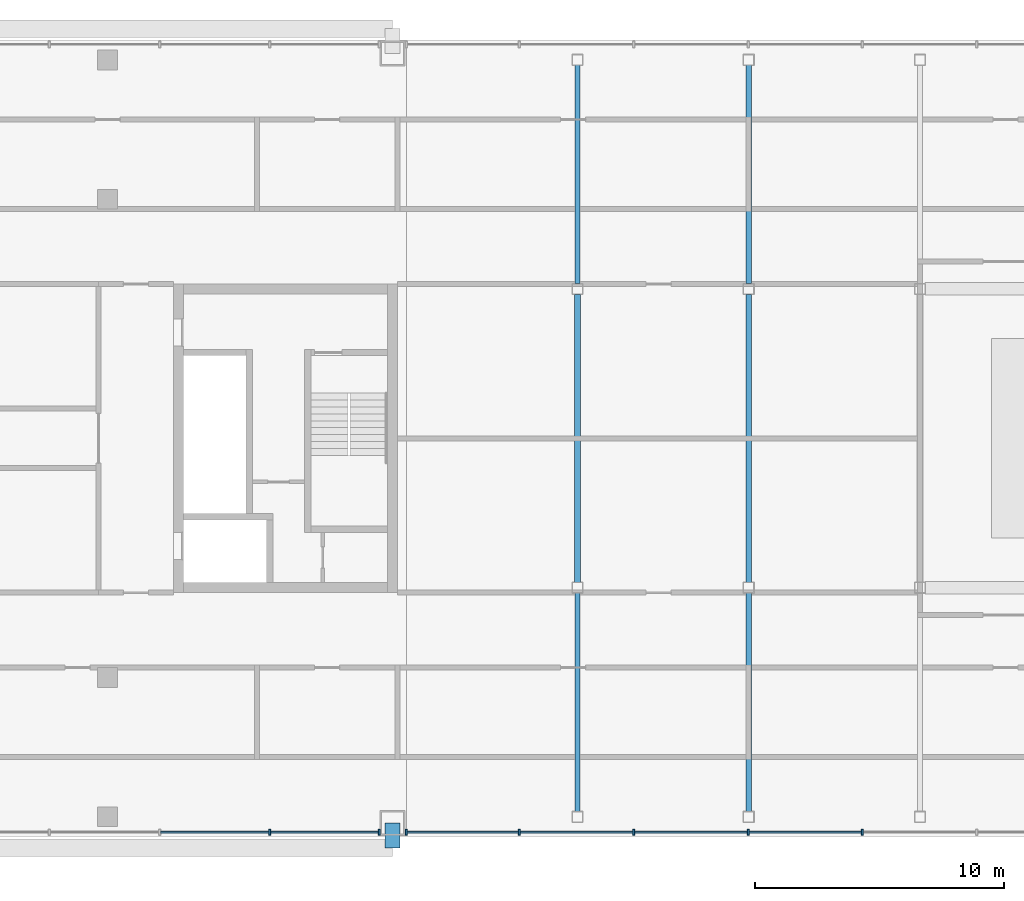
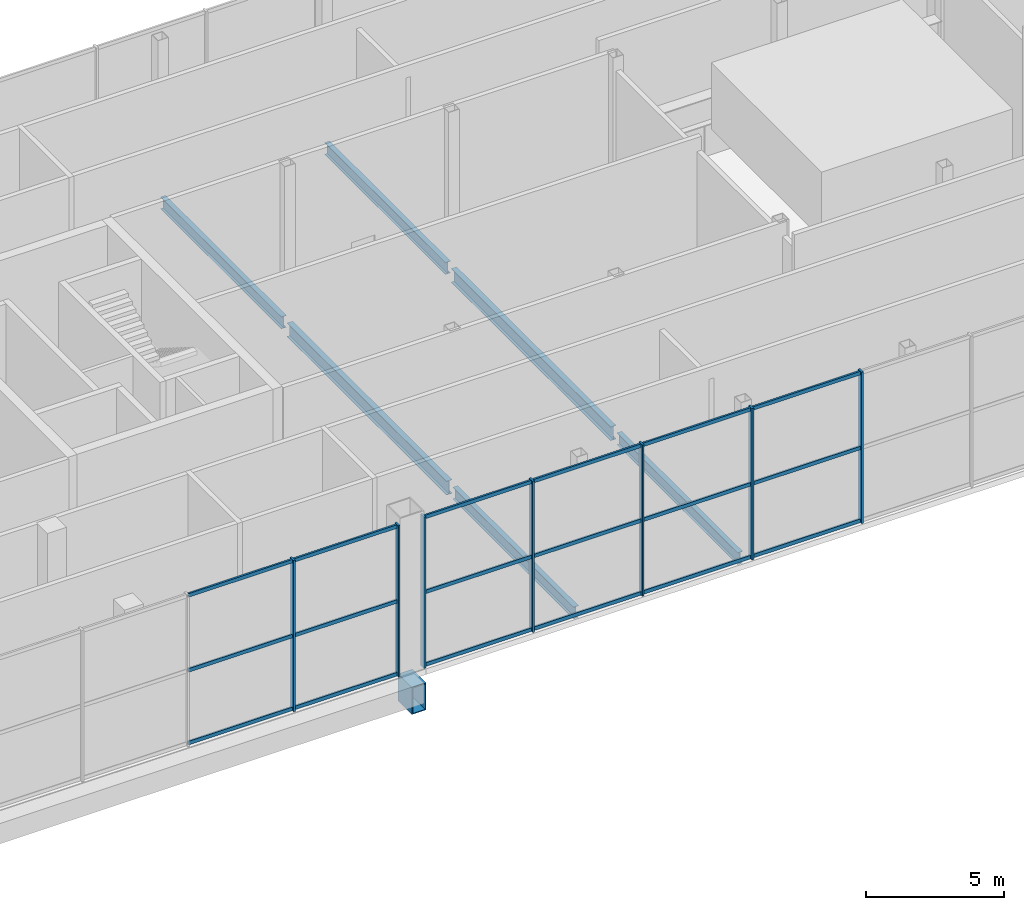
# One storey, part 6 of 27: 25 members, 7 beams, 2 elements without a shape of their own.
"""IFC4 building model written with IfcOpenShell, lengths in metres."""

from ifc_helpers import new_model, si_unit, direction, frame, origin, origin_2d, place, context, subcontext, project, spatial, rectangle, hollow_rectangle, i_section, extrude, material, material_profile, profile_set, type_object, element, aggregate, save


model = new_model("IFC4")

# Units and contexts
model_context = context("Model", 3, precision=1e-05, world=origin(), true_north=direction((0.0, 1.0)))
body_context = subcontext(model_context, "Body", "Model", "MODEL_VIEW")
ifc_project = project(units=[si_unit("LENGTHUNIT", "METRE"), si_unit("AREAUNIT", "SQUARE_METRE"), si_unit("VOLUMEUNIT", "CUBIC_METRE"), si_unit("PLANEANGLEUNIT", "RADIAN"), si_unit("MASSUNIT", "GRAM", prefix="KILO")], contexts=[model_context])

# Site, building, storey
site_placement = place(None, origin())
site = spatial("IfcSite", under=ifc_project, at=site_placement, CompositionType="ELEMENT")
building_placement = place(site_placement, origin())
building = spatial("IfcBuilding", under=site, at=building_placement, Name="Tuart Gate Housing", CompositionType="ELEMENT")
storey_placement = place(building_placement, frame((0.0, 0.0, 236.89990234375)))
storey = spatial("IfcBuildingStorey", under=building, at=storey_placement, Name="L67", CompositionType="ELEMENT", Elevation=236.89990234375)

# Beams
ifc_material_1 = material(Name="Steel Grade 350", Category="steel")
ifc_material_profile_1 = material_profile(ifc_material_1, hollow_rectangle(XDim=0.60009765625, YDim=1.199951171875, WallThickness=0.0400390625, at=origin_2d()), Name="BOX 1200x600x40")
ifc_profile_set_1 = profile_set([ifc_material_profile_1], Name="Steel Grade 350")
beam_type_1 = type_object("IfcBeamType", Name="Brace shoe BOX 1200x600x40", PredefinedType="BEAM", material=ifc_profile_set_1)
beam_placement = place(storey_placement, frame((75.449951171875, 54.550048828125, -0.849853515625), z_axis=(0.0, -1.0, 0.0), x_axis=(1.0, 0.0, 0.0)))
element("IfcBeam", 1, at=beam_placement, inside=storey, type_object=beam_type_1, Name="Mega tie beam A node 8 south shoe 1 L67", PredefinedType="BEAM", context=body_context, shape_type="SweptSolid", body=[
    extrude(hollow_rectangle(XDim=0.60009765625, YDim=1.199951171875, WallThickness=0.0400390625, at=origin_2d()), origin(), (0.0, 0.0, 1.0), 1.0),
])
ifc_material_2 = material(Name="Steel Grade 350", Category="steel")
ifc_material_profile_2 = material_profile(ifc_material_2, i_section(OverallWidth=0.208984375, OverallDepth=0.532958984375, WebThickness=0.01025390625, FlangeThickness=0.015625, at=origin_2d()), Name="530UB92.4")
ifc_profile_set_2 = profile_set([ifc_material_profile_2], Name="Steel Grade 350")
beam_type_2 = type_object("IfcBeamType", Name="Floor beam 530 UB92.4", PredefinedType="BEAM", material=ifc_profile_set_2)
for number, where, z_axis, x_axis, name in (
    (2, (82.875, 55.014892578125, -0.515869140625), (0.0, 1.0, 0.0), (-1.0, 0.0, 0.0), "Block floor beam L67 bay 1 position 1"),
    (3, (82.875, 76.215087890625, -0.515869140625), (0.0, 1.0, 0.0), (-1.0, 0.0, 0.0), "Block floor beam L67 bay 1 position 3"),
    (4, (89.75, 55.014892578125, -0.515869140625), (0.0, 1.0, 0.0), (-1.0, 0.0, 0.0), "Block floor beam L67 bay 2 position 1"),
    (5, (89.75, 76.215087890625, -0.515869140625), (0.0, 1.0, 0.0), (-1.0, 0.0, 0.0), "Block floor beam L67 bay 2 position 3"),
):
    element("IfcBeam", number, at=place(storey_placement, frame(where, z_axis=z_axis, x_axis=x_axis)), inside=storey, type_object=beam_type_2, Name=name, PredefinedType="BEAM", context=body_context, shape_type="SweptSolid", body=[
        extrude(i_section(OverallWidth=0.208984375, OverallDepth=0.532958984375, WebThickness=0.01025390625, FlangeThickness=0.015625, at=origin_2d()), origin(), (0.0, 0.0, 1.0), 8.77001953125),
    ])
ifc_material_3 = material(Name="Steel Grade 350", Category="steel")
ifc_material_profile_3 = material_profile(ifc_material_3, i_section(OverallWidth=0.22900390625, OverallDepth=0.612060546875, WebThickness=0.011962890625, FlangeThickness=0.01953125, at=origin_2d()), Name="610UB125")
ifc_profile_set_3 = profile_set([ifc_material_profile_3], Name="Steel Grade 350")
beam_type_3 = type_object("IfcBeamType", Name="Floor beam 610 UB125", PredefinedType="BEAM", material=ifc_profile_set_3)
for number, where, z_axis, x_axis, name in (
    (6, (82.875, 64.215087890625, -0.555908203125), (0.0, 1.0, 0.0), (-1.0, 0.0, 0.0), "Block floor beam L67 bay 1 position 2"),
    (7, (89.75, 64.215087890625, -0.555908203125), (0.0, 1.0, 0.0), (-1.0, 0.0, 0.0), "Block floor beam L67 bay 2 position 2"),
):
    element("IfcBeam", number, at=place(storey_placement, frame(where, z_axis=z_axis, x_axis=x_axis)), inside=storey, type_object=beam_type_3, Name=name, PredefinedType="BEAM", context=body_context, shape_type="SweptSolid", body=[
        extrude(i_section(OverallWidth=0.22900390625, OverallDepth=0.612060546875, WebThickness=0.011962890625, FlangeThickness=0.01953125, at=origin_2d()), origin(), (0.0, 0.0, 1.0), 11.56982421875),
    ])

# Curtain wall, members
ifc_material_4 = material(Name="Aluminium and clear glass", Category="aluminium")
curtain_wall_type = type_object("IfcCurtainWallType", Name="Damper floor glazing", PredefinedType="USERDEFINED", material=ifc_material_4)
curtain_wall_1_placement = place(storey_placement, origin())
curtain_wall_1 = element("IfcCurtainWall", 8, at=curtain_wall_1_placement, inside=storey, type_object=curtain_wall_type, Name="Damper floor glazing BLK-S L67", ObjectType="DAMPER FLOOR GLAZING", PredefinedType="USERDEFINED")
ifc_material_5 = material(Name="Anodised aluminium", Category="aluminium")
ifc_material_profile_4 = material_profile(ifc_material_5, rectangle(XDim=0.080078125, YDim=0.25, at=origin_2d()), Name="80x250")
ifc_profile_set_4 = profile_set([ifc_material_profile_4], Name="Anodised aluminium")
member_type_1 = type_object("IfcMemberType", Name="Mullion 80 x 250", PredefinedType="MULLION", material=ifc_profile_set_4)
member_1_placement = place(storey_placement, frame((70.519287109375, 54.179931640625, 0.0), z_axis=(0.0, 0.0, 1.0), x_axis=(1.0, 0.0, 0.0)))
member_1 = element("IfcMember", 9, at=member_1_placement, type_object=member_type_1, Name="CW5 mullion 9", PredefinedType="MULLION", context=body_context, shape_type="SweptSolid", body=[
    extrude(rectangle(XDim=0.080078125, YDim=0.25, at=origin_2d()), origin(), (0.0, 0.0, 1.0), 6.7001953125),
])
member_2_placement = place(storey_placement, frame((74.909912109375, 54.179931640625, 0.0), z_axis=(0.0, 0.0, 1.0), x_axis=(1.0, 0.0, 0.0)))
member_2 = element("IfcMember", 10, at=member_2_placement, type_object=member_type_1, Name="CW5 mullion 10", PredefinedType="MULLION", context=body_context, shape_type="SweptSolid", body=[
    extrude(rectangle(XDim=0.080078125, YDim=0.25, at=origin_2d()), origin(), (0.0, 0.0, 1.0), 6.7001953125),
])

curtain_wall_2_placement = place(storey_placement, origin())
curtain_wall_2 = element("IfcCurtainWall", 11, at=curtain_wall_2_placement, inside=storey, type_object=curtain_wall_type, Name="Damper floor glazing BLK-S L67", ObjectType="DAMPER FLOOR GLAZING", PredefinedType="USERDEFINED")
member_3_placement = place(storey_placement, frame((75.989990234375, 54.179931640625, 0.0), z_axis=(0.0, 0.0, 1.0), x_axis=(1.0, 0.0, 0.0)))
member_3 = element("IfcMember", 12, at=member_3_placement, type_object=member_type_1, Name="CW5 mullion 1", PredefinedType="MULLION", context=body_context, shape_type="SweptSolid", body=[
    extrude(rectangle(XDim=0.080078125, YDim=0.25, at=origin_2d()), origin(), (0.0, 0.0, 1.0), 6.7001953125),
])
member_4_placement = place(storey_placement, frame((80.541748046875, 54.179931640625, 0.0), z_axis=(0.0, 0.0, 1.0), x_axis=(1.0, 0.0, 0.0)))
member_4 = element("IfcMember", 13, at=member_4_placement, type_object=member_type_1, Name="CW5 mullion 2", PredefinedType="MULLION", context=body_context, shape_type="SweptSolid", body=[
    extrude(rectangle(XDim=0.080078125, YDim=0.25, at=origin_2d()), origin(), (0.0, 0.0, 1.0), 6.7001953125),
])
member_5_placement = place(storey_placement, frame((85.13330078125, 54.179931640625, 0.0), z_axis=(0.0, 0.0, 1.0), x_axis=(1.0, 0.0, 0.0)))
member_5 = element("IfcMember", 14, at=member_5_placement, type_object=member_type_1, Name="CW5 mullion 3", PredefinedType="MULLION", context=body_context, shape_type="SweptSolid", body=[
    extrude(rectangle(XDim=0.080078125, YDim=0.25, at=origin_2d()), origin(), (0.0, 0.0, 1.0), 6.7001953125),
])
member_6_placement = place(storey_placement, frame((89.72509765625, 54.179931640625, 0.0), z_axis=(0.0, 0.0, 1.0), x_axis=(1.0, 0.0, 0.0)))
member_6 = element("IfcMember", 15, at=member_6_placement, type_object=member_type_1, Name="CW5 mullion 4", PredefinedType="MULLION", context=body_context, shape_type="SweptSolid", body=[
    extrude(rectangle(XDim=0.080078125, YDim=0.25, at=origin_2d()), origin(), (0.0, 0.0, 1.0), 6.7001953125),
])
member_7_placement = place(storey_placement, frame((94.316650390625, 54.179931640625, 0.0), z_axis=(0.0, 0.0, 1.0), x_axis=(1.0, 0.0, 0.0)))
member_7 = element("IfcMember", 16, at=member_7_placement, type_object=member_type_1, Name="CW5 mullion 5", PredefinedType="MULLION", context=body_context, shape_type="SweptSolid", body=[
    extrude(rectangle(XDim=0.080078125, YDim=0.25, at=origin_2d()), origin(), (0.0, 0.0, 1.0), 6.7001953125),
])

# Member
ifc_material_6 = material(Name="Anodised aluminium", Category="aluminium")
ifc_material_profile_5 = material_profile(ifc_material_6, rectangle(XDim=0.080078125, YDim=0.159912109375, at=origin_2d()), Name="80x160")
ifc_profile_set_5 = profile_set([ifc_material_profile_5], Name="Anodised aluminium")
member_type_2 = type_object("IfcMemberType", Name="Transom 80 x 160", PredefinedType="USERDEFINED", material=ifc_profile_set_5)
member_8_placement = place(storey_placement, frame((66.12890625, 54.179931640625, 0.080078125), z_axis=(1.0, 0.0, 0.0), x_axis=(0.0, 1.0, 0.0)))
member_8 = element("IfcMember", 17, at=member_8_placement, type_object=member_type_2, Name="CW5 transom 8.1", ObjectType="TRANSOM", PredefinedType="USERDEFINED", context=body_context, shape_type="SweptSolid", body=[
    extrude(rectangle(XDim=0.080078125, YDim=0.159912109375, at=origin_2d()), origin(), (0.0, 0.0, 1.0), 4.3505859375),
])

member_9_placement = place(storey_placement, frame((66.12890625, 54.179931640625, 3.300048828125), z_axis=(1.0, 0.0, 0.0), x_axis=(0.0, 1.0, 0.0)))
member_9 = element("IfcMember", 18, at=member_9_placement, type_object=member_type_2, Name="CW5 transom 8.2", ObjectType="TRANSOM", PredefinedType="USERDEFINED", context=body_context, shape_type="SweptSolid", body=[
    extrude(rectangle(XDim=0.080078125, YDim=0.159912109375, at=origin_2d()), origin(), (0.0, 0.0, 1.0), 4.3505859375),
])

member_10_placement = place(storey_placement, frame((66.12890625, 54.179931640625, 6.6201171875), z_axis=(1.0, 0.0, 0.0), x_axis=(0.0, 1.0, 0.0)))
member_10 = element("IfcMember", 19, at=member_10_placement, type_object=member_type_2, Name="CW5 transom 8.3", ObjectType="TRANSOM", PredefinedType="USERDEFINED", context=body_context, shape_type="SweptSolid", body=[
    extrude(rectangle(XDim=0.080078125, YDim=0.159912109375, at=origin_2d()), origin(), (0.0, 0.0, 1.0), 4.3505859375),
])

member_11_placement = place(storey_placement, frame((70.559326171875, 54.179931640625, 0.080078125), z_axis=(1.0, 0.0, 0.0), x_axis=(0.0, 1.0, 0.0)))
member_11 = element("IfcMember", 20, at=member_11_placement, type_object=member_type_2, Name="CW5 transom 9.1", ObjectType="TRANSOM", PredefinedType="USERDEFINED", context=body_context, shape_type="SweptSolid", body=[
    extrude(rectangle(XDim=0.080078125, YDim=0.159912109375, at=origin_2d()), origin(), (0.0, 0.0, 1.0), 4.310791015625),
])

member_12_placement = place(storey_placement, frame((70.559326171875, 54.179931640625, 3.300048828125), z_axis=(1.0, 0.0, 0.0), x_axis=(0.0, 1.0, 0.0)))
member_12 = element("IfcMember", 21, at=member_12_placement, type_object=member_type_2, Name="CW5 transom 9.2", ObjectType="TRANSOM", PredefinedType="USERDEFINED", context=body_context, shape_type="SweptSolid", body=[
    extrude(rectangle(XDim=0.080078125, YDim=0.159912109375, at=origin_2d()), origin(), (0.0, 0.0, 1.0), 4.310791015625),
])

member_13_placement = place(storey_placement, frame((70.559326171875, 54.179931640625, 6.6201171875), z_axis=(1.0, 0.0, 0.0), x_axis=(0.0, 1.0, 0.0)))
member_13 = element("IfcMember", 22, at=member_13_placement, type_object=member_type_2, Name="CW5 transom 9.3", ObjectType="TRANSOM", PredefinedType="USERDEFINED", context=body_context, shape_type="SweptSolid", body=[
    extrude(rectangle(XDim=0.080078125, YDim=0.159912109375, at=origin_2d()), origin(), (0.0, 0.0, 1.0), 4.310791015625),
])

aggregate(curtain_wall_1, [member_1, member_2, member_8, member_9, member_10, member_11, member_12, member_13])

member_14_placement = place(storey_placement, frame((76.030029296875, 54.179931640625, 0.080078125), z_axis=(1.0, 0.0, 0.0), x_axis=(0.0, 1.0, 0.0)))
member_14 = element("IfcMember", 23, at=member_14_placement, type_object=member_type_2, Name="CW5 transom 1.1", ObjectType="TRANSOM", PredefinedType="USERDEFINED", context=body_context, shape_type="SweptSolid", body=[
    extrude(rectangle(XDim=0.080078125, YDim=0.159912109375, at=origin_2d()), origin(), (0.0, 0.0, 1.0), 4.4716796875),
])

member_15_placement = place(storey_placement, frame((76.030029296875, 54.179931640625, 3.300048828125), z_axis=(1.0, 0.0, 0.0), x_axis=(0.0, 1.0, 0.0)))
member_15 = element("IfcMember", 24, at=member_15_placement, type_object=member_type_2, Name="CW5 transom 1.2", ObjectType="TRANSOM", PredefinedType="USERDEFINED", context=body_context, shape_type="SweptSolid", body=[
    extrude(rectangle(XDim=0.080078125, YDim=0.159912109375, at=origin_2d()), origin(), (0.0, 0.0, 1.0), 4.4716796875),
])

member_16_placement = place(storey_placement, frame((76.030029296875, 54.179931640625, 6.6201171875), z_axis=(1.0, 0.0, 0.0), x_axis=(0.0, 1.0, 0.0)))
member_16 = element("IfcMember", 25, at=member_16_placement, type_object=member_type_2, Name="CW5 transom 1.3", ObjectType="TRANSOM", PredefinedType="USERDEFINED", context=body_context, shape_type="SweptSolid", body=[
    extrude(rectangle(XDim=0.080078125, YDim=0.159912109375, at=origin_2d()), origin(), (0.0, 0.0, 1.0), 4.4716796875),
])

member_17_placement = place(storey_placement, frame((80.581787109375, 54.179931640625, 0.080078125), z_axis=(1.0, 0.0, 0.0), x_axis=(0.0, 1.0, 0.0)))
member_17 = element("IfcMember", 26, at=member_17_placement, type_object=member_type_2, Name="CW5 transom 2.1", ObjectType="TRANSOM", PredefinedType="USERDEFINED", context=body_context, shape_type="SweptSolid", body=[
    extrude(rectangle(XDim=0.080078125, YDim=0.159912109375, at=origin_2d()), origin(), (0.0, 0.0, 1.0), 4.511474609375),
])

member_18_placement = place(storey_placement, frame((80.581787109375, 54.179931640625, 3.300048828125), z_axis=(1.0, 0.0, 0.0), x_axis=(0.0, 1.0, 0.0)))
member_18 = element("IfcMember", 27, at=member_18_placement, type_object=member_type_2, Name="CW5 transom 2.2", ObjectType="TRANSOM", PredefinedType="USERDEFINED", context=body_context, shape_type="SweptSolid", body=[
    extrude(rectangle(XDim=0.080078125, YDim=0.159912109375, at=origin_2d()), origin(), (0.0, 0.0, 1.0), 4.511474609375),
])

member_19_placement = place(storey_placement, frame((80.581787109375, 54.179931640625, 6.6201171875), z_axis=(1.0, 0.0, 0.0), x_axis=(0.0, 1.0, 0.0)))
member_19 = element("IfcMember", 28, at=member_19_placement, type_object=member_type_2, Name="CW5 transom 2.3", ObjectType="TRANSOM", PredefinedType="USERDEFINED", context=body_context, shape_type="SweptSolid", body=[
    extrude(rectangle(XDim=0.080078125, YDim=0.159912109375, at=origin_2d()), origin(), (0.0, 0.0, 1.0), 4.511474609375),
])

member_20_placement = place(storey_placement, frame((85.17333984375, 54.179931640625, 0.080078125), z_axis=(1.0, 0.0, 0.0), x_axis=(0.0, 1.0, 0.0)))
member_20 = element("IfcMember", 29, at=member_20_placement, type_object=member_type_2, Name="CW5 transom 3.1", ObjectType="TRANSOM", PredefinedType="USERDEFINED", context=body_context, shape_type="SweptSolid", body=[
    extrude(rectangle(XDim=0.080078125, YDim=0.159912109375, at=origin_2d()), origin(), (0.0, 0.0, 1.0), 4.51171875),
])

member_21_placement = place(storey_placement, frame((85.17333984375, 54.179931640625, 3.300048828125), z_axis=(1.0, 0.0, 0.0), x_axis=(0.0, 1.0, 0.0)))
member_21 = element("IfcMember", 30, at=member_21_placement, type_object=member_type_2, Name="CW5 transom 3.2", ObjectType="TRANSOM", PredefinedType="USERDEFINED", context=body_context, shape_type="SweptSolid", body=[
    extrude(rectangle(XDim=0.080078125, YDim=0.159912109375, at=origin_2d()), origin(), (0.0, 0.0, 1.0), 4.51171875),
])

member_22_placement = place(storey_placement, frame((85.17333984375, 54.179931640625, 6.6201171875), z_axis=(1.0, 0.0, 0.0), x_axis=(0.0, 1.0, 0.0)))
member_22 = element("IfcMember", 31, at=member_22_placement, type_object=member_type_2, Name="CW5 transom 3.3", ObjectType="TRANSOM", PredefinedType="USERDEFINED", context=body_context, shape_type="SweptSolid", body=[
    extrude(rectangle(XDim=0.080078125, YDim=0.159912109375, at=origin_2d()), origin(), (0.0, 0.0, 1.0), 4.51171875),
])

member_23_placement = place(storey_placement, frame((89.764892578125, 54.179931640625, 0.080078125), z_axis=(1.0, 0.0, 0.0), x_axis=(0.0, 1.0, 0.0)))
member_23 = element("IfcMember", 32, at=member_23_placement, type_object=member_type_2, Name="CW5 transom 4.1", ObjectType="TRANSOM", PredefinedType="USERDEFINED", context=body_context, shape_type="SweptSolid", body=[
    extrude(rectangle(XDim=0.080078125, YDim=0.159912109375, at=origin_2d()), origin(), (0.0, 0.0, 1.0), 4.51171875),
])

member_24_placement = place(storey_placement, frame((89.764892578125, 54.179931640625, 3.300048828125), z_axis=(1.0, 0.0, 0.0), x_axis=(0.0, 1.0, 0.0)))
member_24 = element("IfcMember", 33, at=member_24_placement, type_object=member_type_2, Name="CW5 transom 4.2", ObjectType="TRANSOM", PredefinedType="USERDEFINED", context=body_context, shape_type="SweptSolid", body=[
    extrude(rectangle(XDim=0.080078125, YDim=0.159912109375, at=origin_2d()), origin(), (0.0, 0.0, 1.0), 4.51171875),
])

member_25_placement = place(storey_placement, frame((89.764892578125, 54.179931640625, 6.6201171875), z_axis=(1.0, 0.0, 0.0), x_axis=(0.0, 1.0, 0.0)))
member_25 = element("IfcMember", 34, at=member_25_placement, type_object=member_type_2, Name="CW5 transom 4.3", ObjectType="TRANSOM", PredefinedType="USERDEFINED", context=body_context, shape_type="SweptSolid", body=[
    extrude(rectangle(XDim=0.080078125, YDim=0.159912109375, at=origin_2d()), origin(), (0.0, 0.0, 1.0), 4.51171875),
])

aggregate(curtain_wall_2, [member_3, member_4, member_5, member_6, member_7, member_14, member_15, member_16, member_17, member_18, member_19, member_20, member_21, member_22, member_23, member_24, member_25])

save(model, "model.ifc")
